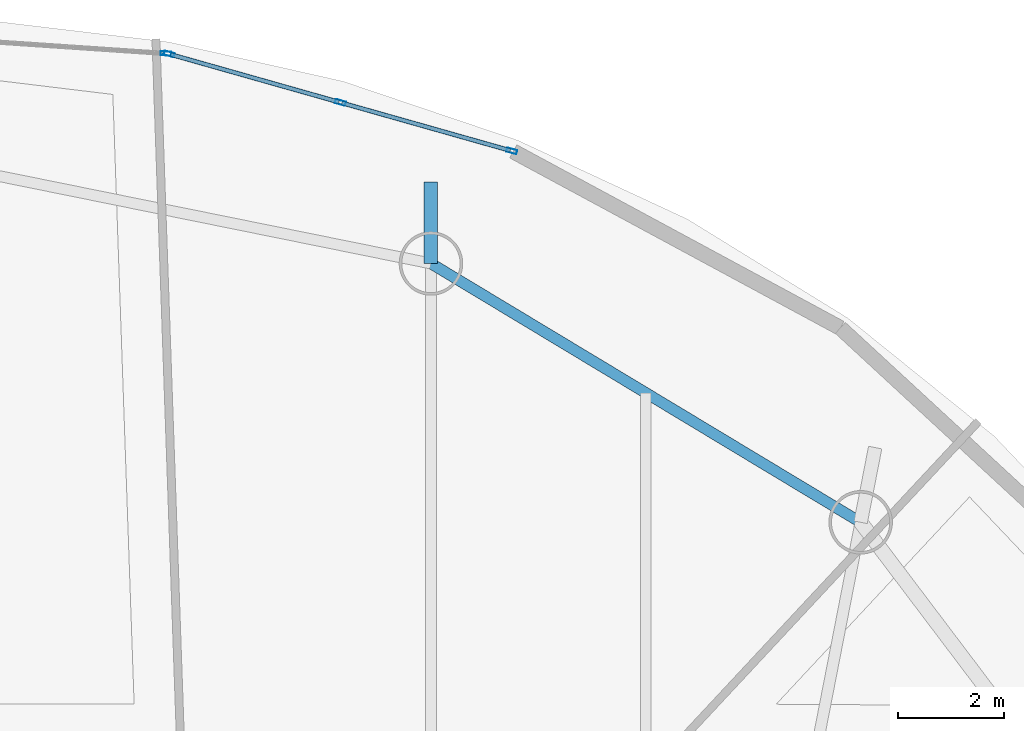
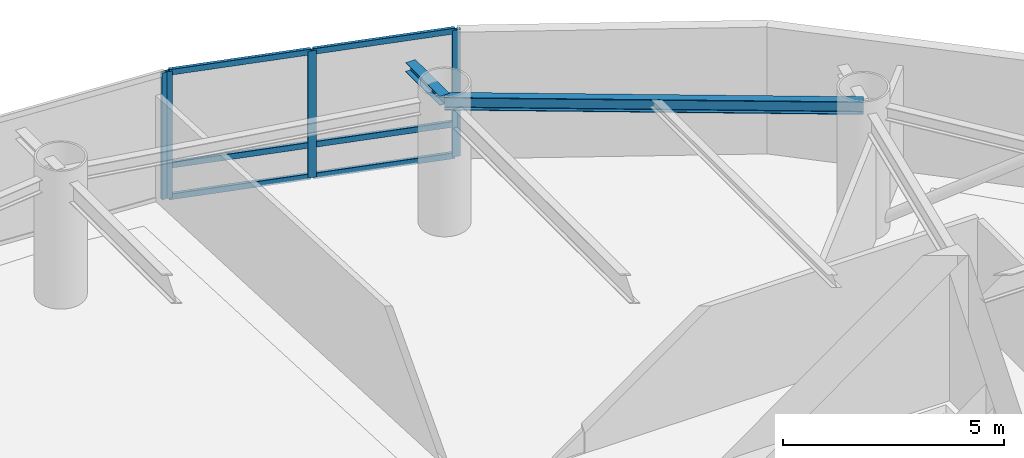
# One storey, part 10 of 18: 10 members, 2 beams, 2 elements without a shape of their own.
"""IFC4 building model written with IfcOpenShell, lengths in metres."""

from ifc_helpers import new_model, si_unit, direction, frame, origin, origin_2d, place, context, subcontext, project, spatial, hollow_rectangle, i_section, extrude, material, layer, layer_set, material_profile, profile_set, type_object, element, aggregate, save


model = new_model("IFC4")

# Units and contexts
model_context = context("Model", 3, precision=1e-05, world=origin(), true_north=direction((0.0, 1.0)))
body_context = subcontext(model_context, "Body", "Model", "MODEL_VIEW")
ifc_project = project(units=[si_unit("LENGTHUNIT", "METRE"), si_unit("AREAUNIT", "SQUARE_METRE"), si_unit("VOLUMEUNIT", "CUBIC_METRE"), si_unit("PLANEANGLEUNIT", "RADIAN"), si_unit("MASSUNIT", "GRAM", prefix="KILO")], contexts=[model_context])

# Site, building, storey
site_placement = place(None, origin())
site = spatial("IfcSite", under=ifc_project, at=site_placement, CompositionType="ELEMENT")
building_placement = place(site_placement, origin())
building = spatial("IfcBuilding", under=site, at=building_placement, Name="Bramvorn Convention Spire", CompositionType="ELEMENT")
storey_placement = place(building_placement, frame((0.0, 0.0, 232.800048828125)))
storey = spatial("IfcBuildingStorey", under=building, at=storey_placement, Name="L59", CompositionType="ELEMENT", Elevation=232.800048828125)

# Beams
ifc_material_1 = material(Name="Steel CSA G40.21 Grade 350 (350W)", Category="steel")
ifc_material_profile_1 = material_profile(ifc_material_1, i_section(OverallWidth=0.25390625, OverallDepth=0.2529296875, WebThickness=0.008544921875, FlangeThickness=0.01416015625, FilletRadius=0.011962890625, at=origin_2d()))
ifc_profile_set_1 = profile_set([ifc_material_profile_1], Name="Steel CSA G40.21 Grade 350 (350W) - W250X73")
beam_type_1 = type_object("IfcBeamType", Name="BM-W250X73", PredefinedType="BEAM", material=ifc_profile_set_1)
beam_1_placement = place(storey_placement, frame((42.38916015625, 44.772216796875, 3.37353515625), z_axis=(0.0, 1.0, 0.0), x_axis=(-1.0, 0.0, 0.0)))
element("IfcBeam", 1, at=beam_1_placement, inside=storey, type_object=beam_type_1, Name="L59 slab-edge cantilever tip beam MC06", PredefinedType="BEAM", context=body_context, shape_type="SweptSolid", body=[
    extrude(i_section(OverallWidth=0.25390625, OverallDepth=0.2529296875, WebThickness=0.008544921875, FlangeThickness=0.01416015625, FilletRadius=0.011962890625, at=origin_2d()), origin(), (0.0, 0.0, 1.0), 1.539794921875),
])
ifc_material_profile_2 = material_profile(ifc_material_1, i_section(OverallWidth=0.205078125, OverallDepth=0.35400390625, WebThickness=0.009521484375, FlangeThickness=0.016845703125, FilletRadius=0.014892578125, at=origin_2d()))
ifc_profile_set_2 = profile_set([ifc_material_profile_2], Name="Steel CSA G40.21 Grade 350 (350W) - W360X79")
beam_type_2 = type_object("IfcBeamType", Name="BM-W360X79", PredefinedType="JOIST", material=ifc_profile_set_2)
beam_2_placement = place(storey_placement, frame((50.501953125, 39.885009765625, 3.322998046875), z_axis=(-0.856581795745, 0.516011266543, 0.0), x_axis=(-0.516011266543, -0.856581795745, 0.0)))
element("IfcBeam", 2, at=beam_2_placement, inside=storey, type_object=beam_type_2, Name="L59 mega-column ring beam 05", PredefinedType="JOIST", context=body_context, shape_type="SweptSolid", body=[
    extrude(i_section(OverallWidth=0.205078125, OverallDepth=0.35400390625, WebThickness=0.009521484375, FlangeThickness=0.016845703125, FilletRadius=0.014892578125, at=origin_2d()), origin(), (0.0, 0.0, 1.0), 9.47119140625),
])

# Curtain wall, members
ifc_material_2 = material(Name="Anodised Bronze Unitised Curtain Wall", Category="aluminium")
ifc_layer = layer(ifc_material_2, 0.179931640625)
ifc_layer_set = layer_set([ifc_layer], Name="Anodised Bronze Unitised Curtain Wall - CW-OFF-FRIT")
curtain_wall_type = type_object("IfcCurtainWallType", Name="CW-OFF-FRIT", PredefinedType="USERDEFINED", material=ifc_layer_set)
curtain_wall_1_placement = place(storey_placement, origin())
curtain_wall_1 = element("IfcCurtainWall", 3, at=curtain_wall_1_placement, inside=storey, type_object=curtain_wall_type, Name="L59 fritted glass curtain wall 09", ObjectType="UNITISED CURTAIN WALL", PredefinedType="USERDEFINED")
ifc_material_3 = material(Name="Anodised Bronze Aluminium 6063-T6", Category="aluminium")
ifc_material_profile_3 = material_profile(ifc_material_3, hollow_rectangle(XDim=0.080078125, YDim=0.199951171875, WallThickness=0.00390625, InnerFilletRadius=0.0009765625, OuterFilletRadius=0.00390625, at=origin_2d()))
ifc_profile_set_3 = profile_set([ifc_material_profile_3], Name="Anodised Bronze Aluminium 6063-T6 - CWM80X200")
member_type_1 = type_object("IfcMemberType", Name="CW-MUL-180", PredefinedType="MULLION", material=ifc_profile_set_3)
member_1_placement = place(storey_placement, frame((37.444580078125, 48.726806640625, 0.0), z_axis=(0.0, 0.0, 1.0), x_axis=(0.272236209746, 0.962230453739, 0.0)))
member_1 = element("IfcMember", 4, at=member_1_placement, type_object=member_type_1, Name="CW3 mullion 1", PredefinedType="MULLION", context=body_context, shape_type="SweptSolid", body=[
    extrude(hollow_rectangle(XDim=0.080078125, YDim=0.199951171875, WallThickness=0.00390625, InnerFilletRadius=0.0009765625, OuterFilletRadius=0.00390625, at=origin_2d()), origin(), (0.0, 0.0, 1.0), 3.5),
])
member_2_placement = place(storey_placement, frame((40.679931640625, 47.8115234375, 0.0), z_axis=(0.0, 0.0, 1.0), x_axis=(0.272236209746, 0.962230453739, 0.0)))
member_2 = element("IfcMember", 5, at=member_2_placement, type_object=member_type_1, Name="CW3 mullion 2", PredefinedType="MULLION", context=body_context, shape_type="SweptSolid", body=[
    extrude(hollow_rectangle(XDim=0.080078125, YDim=0.199951171875, WallThickness=0.00390625, InnerFilletRadius=0.0009765625, OuterFilletRadius=0.00390625, at=origin_2d()), origin(), (0.0, 0.0, 1.0), 3.5),
])
member_3_placement = place(storey_placement, frame((43.915283203125, 46.896240234375, 0.0), z_axis=(0.0, 0.0, 1.0), x_axis=(0.272236209746, 0.962230453739, 0.0)))
member_3 = element("IfcMember", 6, at=member_3_placement, type_object=member_type_1, Name="CW3 mullion 3", PredefinedType="MULLION", context=body_context, shape_type="SweptSolid", body=[
    extrude(hollow_rectangle(XDim=0.080078125, YDim=0.199951171875, WallThickness=0.00390625, InnerFilletRadius=0.0009765625, OuterFilletRadius=0.00390625, at=origin_2d()), origin(), (0.0, 0.0, 1.0), 3.5),
])

# Curtain wall, member
curtain_wall_2_placement = place(storey_placement, origin())
curtain_wall_2 = element("IfcCurtainWall", 7, at=curtain_wall_2_placement, inside=storey, type_object=curtain_wall_type, Name="L59 fritted glass curtain wall 10", ObjectType="UNITISED CURTAIN WALL", PredefinedType="USERDEFINED")
member_4_placement = place(storey_placement, frame((37.385986328125, 48.737060546875, 0.0), z_axis=(0.0, 0.0, 1.0), x_axis=(0.06750287005, 0.997719079969, 0.0)))
member_4 = element("IfcMember", 8, at=member_4_placement, type_object=member_type_1, Name="CW3 mullion 2", PredefinedType="MULLION", context=body_context, shape_type="SweptSolid", body=[
    extrude(hollow_rectangle(XDim=0.080078125, YDim=0.199951171875, WallThickness=0.00390625, InnerFilletRadius=0.0009765625, OuterFilletRadius=0.00390625, at=origin_2d()), origin(), (0.0, 0.0, 1.0), 3.5),
])
aggregate(curtain_wall_2, [member_4])

# Member
ifc_material_profile_4 = material_profile(ifc_material_3, hollow_rectangle(XDim=0.080078125, YDim=0.159912109375, WallThickness=0.00390625, InnerFilletRadius=0.0009765625, OuterFilletRadius=0.00390625, at=origin_2d()))
ifc_profile_set_4 = profile_set([ifc_material_profile_4], Name="Anodised Bronze Aluminium 6063-T6 - CWT80X160")
member_type_2 = type_object("IfcMemberType", Name="CW-TRN-150", PredefinedType="USERDEFINED", material=ifc_profile_set_4)
member_5_placement = place(storey_placement, frame((37.4736328125, 48.71875, 0.030029296875), z_axis=(0.962215548599, -0.272288887091, 0.0), x_axis=(0.272288887091, 0.962215548599, 0.0)))
member_5 = element("IfcMember", 9, at=member_5_placement, type_object=member_type_2, Name="CW3 transom 1.1", ObjectType="TRANSOM", PredefinedType="USERDEFINED", context=body_context, shape_type="SweptSolid", body=[
    extrude(hollow_rectangle(XDim=0.080078125, YDim=0.159912109375, WallThickness=0.00390625, InnerFilletRadius=0.0009765625, OuterFilletRadius=0.00390625, at=origin_2d()), origin(), (0.0, 0.0, 1.0), 3.30224609375),
])

member_6_placement = place(storey_placement, frame((37.4736328125, 48.71875, 0.89990234375), z_axis=(0.962215548599, -0.272288887091, 0.0), x_axis=(0.272288887091, 0.962215548599, 0.0)))
member_6 = element("IfcMember", 10, at=member_6_placement, type_object=member_type_2, Name="CW3 transom 1.2", ObjectType="TRANSOM", PredefinedType="USERDEFINED", context=body_context, shape_type="SweptSolid", body=[
    extrude(hollow_rectangle(XDim=0.080078125, YDim=0.159912109375, WallThickness=0.00390625, InnerFilletRadius=0.0009765625, OuterFilletRadius=0.00390625, at=origin_2d()), origin(), (0.0, 0.0, 1.0), 3.30224609375),
])

member_7_placement = place(storey_placement, frame((37.4736328125, 48.71875, 3.469970703125), z_axis=(0.962215548599, -0.272288887091, 0.0), x_axis=(0.272288887091, 0.962215548599, 0.0)))
member_7 = element("IfcMember", 11, at=member_7_placement, type_object=member_type_2, Name="CW3 transom 1.3", ObjectType="TRANSOM", PredefinedType="USERDEFINED", context=body_context, shape_type="SweptSolid", body=[
    extrude(hollow_rectangle(XDim=0.080078125, YDim=0.159912109375, WallThickness=0.00390625, InnerFilletRadius=0.0009765625, OuterFilletRadius=0.00390625, at=origin_2d()), origin(), (0.0, 0.0, 1.0), 3.30224609375),
])

member_8_placement = place(storey_placement, frame((40.708740234375, 47.80322265625, 0.030029296875), z_axis=(0.96224039472, -0.272201070479, 0.0), x_axis=(0.272201070479, 0.96224039472, 0.0)))
member_8 = element("IfcMember", 12, at=member_8_placement, type_object=member_type_2, Name="CW3 transom 2.1", ObjectType="TRANSOM", PredefinedType="USERDEFINED", context=body_context, shape_type="SweptSolid", body=[
    extrude(hollow_rectangle(XDim=0.080078125, YDim=0.159912109375, WallThickness=0.00390625, InnerFilletRadius=0.0009765625, OuterFilletRadius=0.00390625, at=origin_2d()), origin(), (0.0, 0.0, 1.0), 3.302490234375),
])

member_9_placement = place(storey_placement, frame((40.708740234375, 47.80322265625, 0.89990234375), z_axis=(0.96224039472, -0.272201070479, 0.0), x_axis=(0.272201070479, 0.96224039472, 0.0)))
member_9 = element("IfcMember", 13, at=member_9_placement, type_object=member_type_2, Name="CW3 transom 2.2", ObjectType="TRANSOM", PredefinedType="USERDEFINED", context=body_context, shape_type="SweptSolid", body=[
    extrude(hollow_rectangle(XDim=0.080078125, YDim=0.159912109375, WallThickness=0.00390625, InnerFilletRadius=0.0009765625, OuterFilletRadius=0.00390625, at=origin_2d()), origin(), (0.0, 0.0, 1.0), 3.302490234375),
])

member_10_placement = place(storey_placement, frame((40.708740234375, 47.80322265625, 3.469970703125), z_axis=(0.96224039472, -0.272201070479, 0.0), x_axis=(0.272201070479, 0.96224039472, 0.0)))
member_10 = element("IfcMember", 14, at=member_10_placement, type_object=member_type_2, Name="CW3 transom 2.3", ObjectType="TRANSOM", PredefinedType="USERDEFINED", context=body_context, shape_type="SweptSolid", body=[
    extrude(hollow_rectangle(XDim=0.080078125, YDim=0.159912109375, WallThickness=0.00390625, InnerFilletRadius=0.0009765625, OuterFilletRadius=0.00390625, at=origin_2d()), origin(), (0.0, 0.0, 1.0), 3.302490234375),
])

aggregate(curtain_wall_1, [member_1, member_2, member_3, member_5, member_6, member_7, member_8, member_9, member_10])

save(model, "model.ifc")
